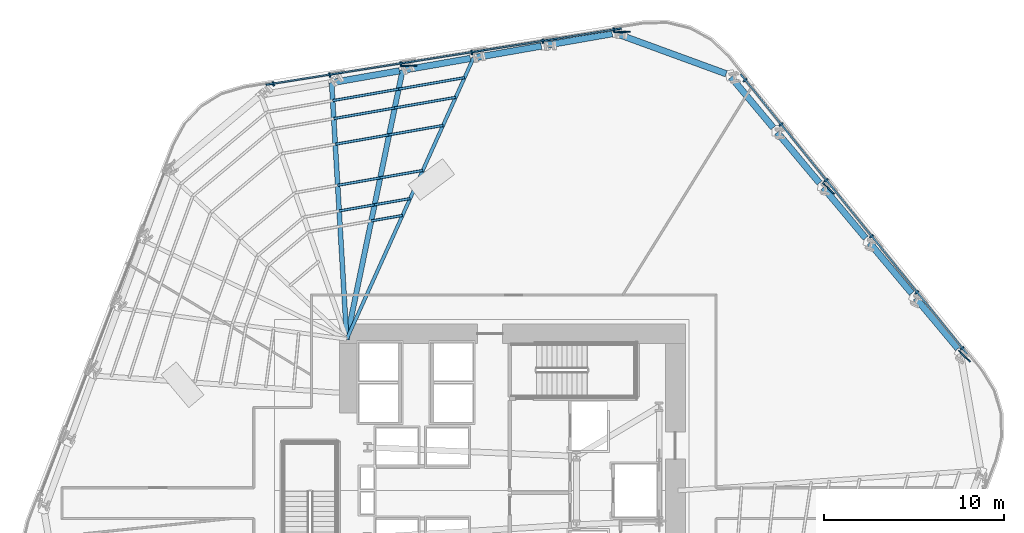
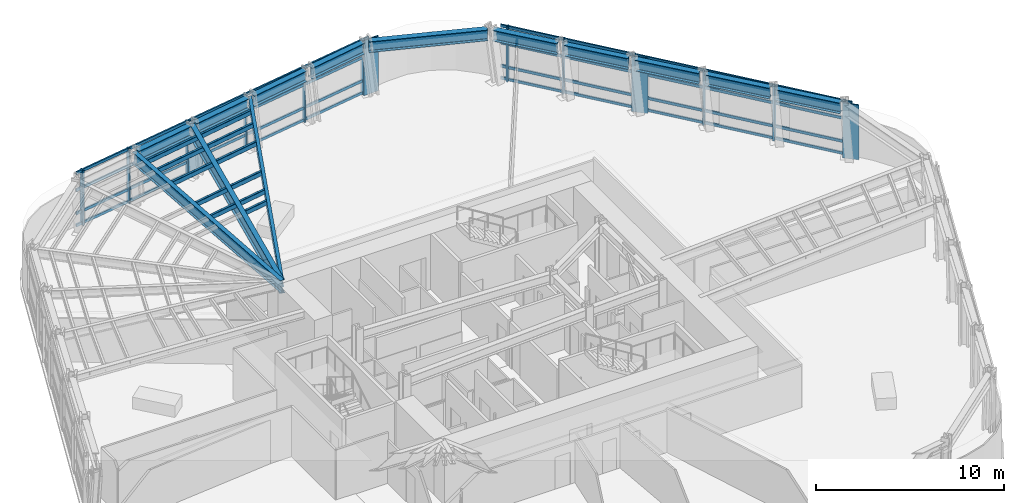
# One storey, part 6 of 16: 35 members, 13 beams, 2 elements without a shape of their own.
"""IFC4 building model written with IfcOpenShell, lengths in metres."""

from ifc_helpers import new_model, si_unit, direction, frame, origin, origin_2d, place, context, subcontext, project, spatial, rectangle, hollow_rectangle, i_section, extrude, material, layer, layer_set, material_profile, profile_set, type_object, element, aggregate, save


model = new_model("IFC4")

# Units and contexts
model_context = context("Model", 3, precision=1e-05, world=origin(), true_north=direction((0.0, 1.0)))
body_context = subcontext(model_context, "Body", "Model", "MODEL_VIEW")
ifc_project = project(units=[si_unit("LENGTHUNIT", "METRE"), si_unit("AREAUNIT", "SQUARE_METRE"), si_unit("VOLUMEUNIT", "CUBIC_METRE"), si_unit("PLANEANGLEUNIT", "RADIAN"), si_unit("MASSUNIT", "GRAM", prefix="KILO")], contexts=[model_context])

# Site, building, storey
site_placement = place(None, origin())
site = spatial("IfcSite", under=ifc_project, at=site_placement, CompositionType="ELEMENT")
building_placement = place(site_placement, origin())
building = spatial("IfcBuilding", under=site, at=building_placement, Name="Valkerne Bourse Tower", CompositionType="ELEMENT")
storey_placement = place(building_placement, frame((0.0, 0.0, 62.0)))
storey = spatial("IfcBuildingStorey", under=building, at=storey_placement, Name="L15", CompositionType="ELEMENT", Elevation=62.0)

# Beams
ifc_material_1 = material(Name="Steel ASTM A992", Category="steel")
ifc_material_profile_1 = material_profile(ifc_material_1, i_section(OverallWidth=0.1904296875, OverallDepth=0.457275390625, WebThickness=0.009033203125, FlangeThickness=0.014404296875, FilletRadius=0.01513671875, at=origin_2d()), Name="W18X50")
ifc_profile_set_1 = profile_set([ifc_material_profile_1], Name="Steel ASTM A992")
beam_type_1 = type_object("IfcBeamType", Name="BM-W18X50", PredefinedType="JOIST", material=ifc_profile_set_1)
beam_1_placement = place(storey_placement, frame((44.636474609375, 51.017822265625, 3.351318359375), z_axis=(-0.410768208012, -0.911739808984, 0.0), x_axis=(0.911739808984, -0.410768208012, 0.0)))
element("IfcBeam", 1, at=beam_1_placement, inside=storey, type_object=beam_type_1, Name="L15 Radial Composite Floor Beam 08", PredefinedType="JOIST", context=body_context, shape_type="SweptSolid", body=[
    extrude(i_section(OverallWidth=0.1904296875, OverallDepth=0.457275390625, WebThickness=0.009033203125, FlangeThickness=0.014404296875, FilletRadius=0.01513671875, at=origin_2d()), origin(), (0.0, 0.0, 1.0), 17.1298828125),
])
ifc_material_profile_2 = material_profile(ifc_material_1, i_section(OverallWidth=0.358154296875, OverallDepth=0.7060546875, WebThickness=0.018310546875, FlangeThickness=0.0302734375, FilletRadius=0.02294921875, at=origin_2d()), Name="W27X178")
ifc_profile_set_2 = profile_set([ifc_material_profile_2], Name="Steel ASTM A992")
beam_type_2 = type_object("IfcBeamType", Name="BM-W27X178", PredefinedType="SPANDREL", material=ifc_profile_set_2)
beam_2_placement = place(storey_placement, frame((71.535888671875, 34.8818359375, 3.22705078125), z_axis=(-0.641477333473, 0.767141988578, 0.0), x_axis=(-0.767141988578, -0.641477333473, 0.0)))
element("IfcBeam", 2, at=beam_2_placement, inside=storey, type_object=beam_type_2, Name="L15 Hexagonal Spandrel Ring Beam 00", PredefinedType="SPANDREL", context=body_context, shape_type="SweptSolid", body=[
    extrude(i_section(OverallWidth=0.358154296875, OverallDepth=0.7060546875, WebThickness=0.018310546875, FlangeThickness=0.0302734375, FilletRadius=0.02294921875, at=origin_2d()), origin(), (0.0, 0.0, 1.0), 3.65625),
])
beam_3_placement = place(storey_placement, frame((68.972412109375, 37.947509765625, 3.22705078125), z_axis=(-0.641470895861, 0.767147371607, 0.0), x_axis=(-0.767147371607, -0.641470895861, 0.0)))
element("IfcBeam", 3, at=beam_3_placement, inside=storey, type_object=beam_type_2, Name="L15 Hexagonal Spandrel Ring Beam 01", PredefinedType="SPANDREL", context=body_context, shape_type="SweptSolid", body=[
    extrude(i_section(OverallWidth=0.358154296875, OverallDepth=0.7060546875, WebThickness=0.018310546875, FlangeThickness=0.0302734375, FilletRadius=0.02294921875, at=origin_2d()), origin(), (0.0, 0.0, 1.0), 3.656005859375),
])
beam_4_placement = place(storey_placement, frame((66.4091796875, 41.01318359375, 3.22705078125), z_axis=(-0.641431593388, 0.767180233716, 0.0), x_axis=(-0.767180233716, -0.641431593388, 0.0)))
element("IfcBeam", 4, at=beam_4_placement, inside=storey, type_object=beam_type_2, Name="L15 Hexagonal Spandrel Ring Beam 02", PredefinedType="SPANDREL", context=body_context, shape_type="SweptSolid", body=[
    extrude(i_section(OverallWidth=0.358154296875, OverallDepth=0.7060546875, WebThickness=0.018310546875, FlangeThickness=0.0302734375, FilletRadius=0.02294921875, at=origin_2d()), origin(), (0.0, 0.0, 1.0), 3.65576171875),
])
beam_5_placement = place(storey_placement, frame((63.84619140625, 44.07861328125, 3.22705078125), z_axis=(-0.641510193284, 0.7671145103, 0.0), x_axis=(-0.7671145103, -0.641510193284, 0.0)))
element("IfcBeam", 5, at=beam_5_placement, inside=storey, type_object=beam_type_2, Name="L15 Hexagonal Spandrel Ring Beam 03", PredefinedType="SPANDREL", context=body_context, shape_type="SweptSolid", body=[
    extrude(i_section(OverallWidth=0.358154296875, OverallDepth=0.7060546875, WebThickness=0.018310546875, FlangeThickness=0.0302734375, FilletRadius=0.02294921875, at=origin_2d()), origin(), (0.0, 0.0, 1.0), 3.65625),
])
beam_6_placement = place(storey_placement, frame((61.28271484375, 47.144287109375, 3.22705078125), z_axis=(-0.641470895861, 0.767147371607, 0.0), x_axis=(-0.767147371607, -0.641470895861, 0.0)))
element("IfcBeam", 6, at=beam_6_placement, inside=storey, type_object=beam_type_2, Name="L15 Hexagonal Spandrel Ring Beam 04", PredefinedType="SPANDREL", context=body_context, shape_type="SweptSolid", body=[
    extrude(i_section(OverallWidth=0.358154296875, OverallDepth=0.7060546875, WebThickness=0.018310546875, FlangeThickness=0.0302734375, FilletRadius=0.02294921875, at=origin_2d()), origin(), (0.0, 0.0, 1.0), 3.656005859375),
])
beam_7_placement = place(storey_placement, frame((58.6689453125, 50.1376953125, 3.22705078125), z_axis=(-0.939088565255, 0.343675234208, 0.0), x_axis=(-0.343675234208, -0.939088565255, 0.0)))
element("IfcBeam", 7, at=beam_7_placement, inside=storey, type_object=beam_type_2, Name="L15 Hexagonal Spandrel Ring Beam 05", PredefinedType="SPANDREL", context=body_context, shape_type="SweptSolid", body=[
    extrude(i_section(OverallWidth=0.358154296875, OverallDepth=0.7060546875, WebThickness=0.018310546875, FlangeThickness=0.0302734375, FilletRadius=0.02294921875, at=origin_2d()), origin(), (0.0, 0.0, 1.0), 6.38916015625),
])
beam_8_placement = place(storey_placement, frame((52.341796875, 52.36279296875, 3.22705078125), z_axis=(-0.985103236092, -0.171963991115, 0.0), x_axis=(0.171963991115, -0.985103236092, 0.0)))
element("IfcBeam", 8, at=beam_8_placement, inside=storey, type_object=beam_type_2, Name="L15 Hexagonal Spandrel Ring Beam 06", PredefinedType="SPANDREL", context=body_context, shape_type="SweptSolid", body=[
    extrude(i_section(OverallWidth=0.358154296875, OverallDepth=0.7060546875, WebThickness=0.018310546875, FlangeThickness=0.0302734375, FilletRadius=0.02294921875, at=origin_2d()), origin(), (0.0, 0.0, 1.0), 3.65576171875),
])
for number, where, z_axis, x_axis, name in (
    (9, (48.405517578125, 51.67578125, 3.22705078125), (-0.985105210753, -0.171952678802, 0.0), (0.171952678802, -0.985105210753, 0.0), "L15 Hexagonal Spandrel Ring Beam 07"),
    (10, (44.468994140625, 50.98876953125, 3.22705078125), (-0.985105210753, -0.171952678802, 0.0), (0.171952678802, -0.985105210753, 0.0), "L15 Hexagonal Spandrel Ring Beam 08"),
    (11, (40.532470703125, 50.301513671875, 3.22705078125), (-0.985116520331, -0.171887874412, 0.0), (0.171887874412, -0.985116520331, 0.0), "L15 Hexagonal Spandrel Ring Beam 09"),
):
    element("IfcBeam", number, at=place(storey_placement, frame(where, z_axis=z_axis, x_axis=x_axis)), inside=storey, type_object=beam_type_2, Name=name, PredefinedType="SPANDREL", context=body_context, shape_type="SweptSolid", body=[
        extrude(i_section(OverallWidth=0.358154296875, OverallDepth=0.7060546875, WebThickness=0.018310546875, FlangeThickness=0.0302734375, FilletRadius=0.02294921875, at=origin_2d()), origin(), (0.0, 0.0, 1.0), 3.656005859375),
    ])
ifc_material_profile_3 = material_profile(ifc_material_1, i_section(OverallWidth=0.26806640625, OverallDepth=0.76953125, WebThickness=0.015625, FlangeThickness=0.025390625, FilletRadius=0.025390625, at=origin_2d()), Name="W30X132")
ifc_profile_set_3 = profile_set([ifc_material_profile_3], Name="Steel ASTM A992")
beam_type_3 = type_object("IfcBeamType", Name="BM-W30X132", PredefinedType="BEAM", material=ifc_profile_set_3)
beam_9_placement = place(storey_placement, frame((36.763427734375, 49.643798828125, 3.1953125), z_axis=(0.05863776716, -0.998279325771, 0.0), x_axis=(0.998279325771, 0.05863776716, 0.0)))
element("IfcBeam", 12, at=beam_9_placement, inside=storey, type_object=beam_type_3, Name="L15 Radial Composite Floor Beam 10", PredefinedType="BEAM", context=body_context, shape_type="SweptSolid", body=[
    extrude(i_section(OverallWidth=0.26806640625, OverallDepth=0.76953125, WebThickness=0.015625, FlangeThickness=0.025390625, FilletRadius=0.025390625, at=origin_2d()), origin(), (0.0, 0.0, 1.0), 14.2685546875),
])
ifc_material_profile_4 = material_profile(ifc_material_1, i_section(OverallWidth=0.2919921875, OverallDepth=0.8583984375, WebThickness=0.01708984375, FlangeThickness=0.031005859375, FilletRadius=0.025390625, at=origin_2d()), Name="W33X169")
ifc_profile_set_4 = profile_set([ifc_material_profile_4], Name="Steel ASTM A992")
beam_type_4 = type_object("IfcBeamType", Name="BM-W33X169", PredefinedType="BEAM", material=ifc_profile_set_4)
beam_10_placement = place(storey_placement, frame((40.699951171875, 50.330810546875, 3.15087890625), z_axis=(-0.203278430807, -0.979120972898, 0.0), x_axis=(0.979120972898, -0.203278430807, 0.0)))
element("IfcBeam", 13, at=beam_10_placement, inside=storey, type_object=beam_type_4, Name="L15 Radial Composite Floor Beam 09", PredefinedType="BEAM", context=body_context, shape_type="SweptSolid", body=[
    extrude(i_section(OverallWidth=0.2919921875, OverallDepth=0.8583984375, WebThickness=0.01708984375, FlangeThickness=0.031005859375, FilletRadius=0.025390625, at=origin_2d()), origin(), (0.0, 0.0, 1.0), 15.249267578125),
])

# Curtain wall, members
ifc_material_2 = material(Name="Aluminium AA 6063-T6", Category="aluminium")
ifc_layer = layer(ifc_material_2, 0.22509765625)
ifc_layer_set = layer_set([ifc_layer], Name="Aluminium AA 6063-T6")
curtain_wall_type = type_object("IfcCurtainWallType", Name="CW-01", PredefinedType="NOTDEFINED", material=ifc_layer_set)
curtain_wall_1_placement = place(storey_placement, origin())
curtain_wall_1 = element("IfcCurtainWall", 14, at=curtain_wall_1_placement, inside=storey, type_object=curtain_wall_type, Name="L15 Hexagonal Stick Curtain Wall Face 1", PredefinedType="NOTDEFINED")
ifc_material_profile_5 = material_profile(ifc_material_2, rectangle(XDim=0.090087890625, YDim=0.239990234375, at=origin_2d()), Name="CWM-90X240")
ifc_profile_set_5 = profile_set([ifc_material_profile_5], Name="Aluminium AA 6063-T6")
member_type_1 = type_object("IfcMemberType", Name="CW-MUL-240X90", PredefinedType="MULLION", material=ifc_profile_set_5)
member_1_placement = place(storey_placement, frame((71.76318359375, 34.900634765625, 0.0), z_axis=(0.0, 0.0, 1.0), x_axis=(-0.629319886736, 0.777146369842, 0.0)))
member_1 = element("IfcMember", 15, at=member_1_placement, type_object=member_type_1, Name="CW-L15-F1 Jamb Mullion 00A", PredefinedType="MULLION", context=body_context, shape_type="SweptSolid", body=[
    extrude(rectangle(XDim=0.090087890625, YDim=0.239990234375, at=origin_2d()), origin(), (0.0, 0.0, 1.0), 3.580078125),
])
member_2_placement = place(storey_placement, frame((69.24853515625, 38.006103515625, 0.0), z_axis=(0.0, 0.0, 1.0), x_axis=(-0.629322761639, 0.777144041786, 0.0)))
member_2 = element("IfcMember", 16, at=member_2_placement, type_object=member_type_1, Name="CW-L15-F1 Jamb Mullion 01A", PredefinedType="MULLION", context=body_context, shape_type="SweptSolid", body=[
    extrude(rectangle(XDim=0.090087890625, YDim=0.239990234375, at=origin_2d()), origin(), (0.0, 0.0, 1.0), 3.580078125),
])
member_3_placement = place(storey_placement, frame((66.73388671875, 41.111572265625, 0.0), z_axis=(0.0, 0.0, 1.0), x_axis=(-0.629322761639, 0.777144041786, 0.0)))
member_3 = element("IfcMember", 17, at=member_3_placement, type_object=member_type_1, Name="CW-L15-F1 Jamb Mullion 02A", PredefinedType="MULLION", context=body_context, shape_type="SweptSolid", body=[
    extrude(rectangle(XDim=0.090087890625, YDim=0.239990234375, at=origin_2d()), origin(), (0.0, 0.0, 1.0), 3.580078125),
])
member_4_placement = place(storey_placement, frame((64.218994140625, 44.217041015625, 0.0), z_axis=(0.0, 0.0, 1.0), x_axis=(-0.629307647505, 0.777156280803, 0.0)))
member_4 = element("IfcMember", 18, at=member_4_placement, type_object=member_type_1, Name="CW-L15-F1 Jamb Mullion 03A", PredefinedType="MULLION", context=body_context, shape_type="SweptSolid", body=[
    extrude(rectangle(XDim=0.090087890625, YDim=0.239990234375, at=origin_2d()), origin(), (0.0, 0.0, 1.0), 3.580078125),
])
member_5_placement = place(storey_placement, frame((61.704345703125, 47.322509765625, 0.0), z_axis=(0.0, 0.0, 1.0), x_axis=(-0.629335000772, 0.77713413051, 0.0)))
member_5 = element("IfcMember", 19, at=member_5_placement, type_object=member_type_1, Name="CW-L15-F1 Jamb Mullion 04A", PredefinedType="MULLION", context=body_context, shape_type="SweptSolid", body=[
    extrude(rectangle(XDim=0.090087890625, YDim=0.239990234375, at=origin_2d()), origin(), (0.0, 0.0, 1.0), 3.580078125),
])
member_6_placement = place(storey_placement, frame((59.718017578125, 49.775146484375, 0.0), z_axis=(0.0, 0.0, 1.0), x_axis=(-0.629335000772, 0.77713413051, 0.0)))
member_6 = element("IfcMember", 20, at=member_6_placement, type_object=member_type_1, Name="CW-L15-F1 Jamb Mullion 04B", PredefinedType="MULLION", context=body_context, shape_type="SweptSolid", body=[
    extrude(rectangle(XDim=0.090087890625, YDim=0.239990234375, at=origin_2d()), origin(), (0.0, 0.0, 1.0), 3.580078125),
])

curtain_wall_2_placement = place(storey_placement, origin())
curtain_wall_2 = element("IfcCurtainWall", 21, at=curtain_wall_2_placement, inside=storey, type_object=curtain_wall_type, Name="L15 Hexagonal Stick Curtain Wall Face 2", PredefinedType="NOTDEFINED")
member_7_placement = place(storey_placement, frame((52.439453125, 52.569091796875, 0.0), z_axis=(0.0, 0.0, 1.0), x_axis=(-0.987688793331, -0.156431606549, 0.0)))
member_7 = element("IfcMember", 22, at=member_7_placement, type_object=member_type_1, Name="CW-L15-F2 Jamb Mullion 00A", PredefinedType="MULLION", context=body_context, shape_type="SweptSolid", body=[
    extrude(rectangle(XDim=0.090087890625, YDim=0.239990234375, at=origin_2d()), origin(), (0.0, 0.0, 1.0), 3.580078125),
])
member_8_placement = place(storey_placement, frame((48.49267578125, 51.944091796875, 0.0), z_axis=(0.0, 0.0, 1.0), x_axis=(-0.987688793331, -0.156431606549, 0.0)))
member_8 = element("IfcMember", 23, at=member_8_placement, type_object=member_type_1, Name="CW-L15-F2 Jamb Mullion 01A", PredefinedType="MULLION", context=body_context, shape_type="SweptSolid", body=[
    extrude(rectangle(XDim=0.090087890625, YDim=0.239990234375, at=origin_2d()), origin(), (0.0, 0.0, 1.0), 3.580078125),
])
member_9_placement = place(storey_placement, frame((44.5458984375, 51.319091796875, 0.0), z_axis=(0.0, 0.0, 1.0), x_axis=(-0.987688793331, -0.156431606549, 0.0)))
member_9 = element("IfcMember", 24, at=member_9_placement, type_object=member_type_1, Name="CW-L15-F2 Jamb Mullion 02A", PredefinedType="MULLION", context=body_context, shape_type="SweptSolid", body=[
    extrude(rectangle(XDim=0.090087890625, YDim=0.239990234375, at=origin_2d()), origin(), (0.0, 0.0, 1.0), 3.580078125),
])
member_10_placement = place(storey_placement, frame((40.59912109375, 50.69384765625, 0.0), z_axis=(0.0, 0.0, 1.0), x_axis=(-0.987688793331, -0.156431606549, 0.0)))
member_10 = element("IfcMember", 25, at=member_10_placement, type_object=member_type_1, Name="CW-L15-F2 Jamb Mullion 03A", PredefinedType="MULLION", context=body_context, shape_type="SweptSolid", body=[
    extrude(rectangle(XDim=0.090087890625, YDim=0.239990234375, at=origin_2d()), origin(), (0.0, 0.0, 1.0), 3.580078125),
])
member_11_placement = place(storey_placement, frame((36.65234375, 50.06884765625, 0.0), z_axis=(0.0, 0.0, 1.0), x_axis=(-0.987684926531, -0.156456019071, 0.0)))
member_11 = element("IfcMember", 26, at=member_11_placement, type_object=member_type_1, Name="CW-L15-F2 Jamb Mullion 04A", PredefinedType="MULLION", context=body_context, shape_type="SweptSolid", body=[
    extrude(rectangle(XDim=0.090087890625, YDim=0.239990234375, at=origin_2d()), origin(), (0.0, 0.0, 1.0), 3.580078125),
])
member_12_placement = place(storey_placement, frame((33.53515625, 49.574951171875, 0.0), z_axis=(0.0, 0.0, 1.0), x_axis=(-0.987684926531, -0.156456019071, 0.0)))
member_12 = element("IfcMember", 27, at=member_12_placement, type_object=member_type_1, Name="CW-L15-F2 Jamb Mullion 04B", PredefinedType="MULLION", context=body_context, shape_type="SweptSolid", body=[
    extrude(rectangle(XDim=0.090087890625, YDim=0.239990234375, at=origin_2d()), origin(), (0.0, 0.0, 1.0), 3.580078125),
])

# Member
ifc_material_profile_6 = material_profile(ifc_material_2, rectangle(XDim=0.090087890625, YDim=0.179931640625, at=origin_2d()), Name="CWT-90X180")
ifc_profile_set_6 = profile_set([ifc_material_profile_6], Name="Aluminium AA 6063-T6")
member_type_2 = type_object("IfcMemberType", Name="CW-TRN-180X90", PredefinedType="USERDEFINED", material=ifc_profile_set_6)
member_13_placement = place(storey_placement, frame((72.043212890625, 34.5869140625, 0.1201171875), z_axis=(-0.629318438977, 0.77714754221, 0.0), x_axis=(-0.77714754221, -0.629318438977, 0.0)))
member_13 = element("IfcMember", 28, at=member_13_placement, type_object=member_type_2, Name="CW-L15-F1 Continuous Face Transom 1", ObjectType="TRANSOM", PredefinedType="USERDEFINED", context=body_context, shape_type="SweptSolid", body=[
    extrude(rectangle(XDim=0.090087890625, YDim=0.179931640625, at=origin_2d()), origin(), (0.0, 0.0, 1.0), 19.97998046875),
])

member_14_placement = place(storey_placement, frame((72.043212890625, 34.5869140625, 0.89990234375), z_axis=(-0.629318438977, 0.77714754221, 0.0), x_axis=(-0.77714754221, -0.629318438977, 0.0)))
member_14 = element("IfcMember", 29, at=member_14_placement, type_object=member_type_2, Name="CW-L15-F1 Continuous Face Transom 2", ObjectType="TRANSOM", PredefinedType="USERDEFINED", context=body_context, shape_type="SweptSolid", body=[
    extrude(rectangle(XDim=0.090087890625, YDim=0.179931640625, at=origin_2d()), origin(), (0.0, 0.0, 1.0), 19.97998046875),
])

member_15_placement = place(storey_placement, frame((72.043212890625, 34.5869140625, 2.39990234375), z_axis=(-0.629318438977, 0.77714754221, 0.0), x_axis=(-0.77714754221, -0.629318438977, 0.0)))
member_15 = element("IfcMember", 30, at=member_15_placement, type_object=member_type_2, Name="CW-L15-F1 Continuous Face Transom 3", ObjectType="TRANSOM", PredefinedType="USERDEFINED", context=body_context, shape_type="SweptSolid", body=[
    extrude(rectangle(XDim=0.090087890625, YDim=0.179931640625, at=origin_2d()), origin(), (0.0, 0.0, 1.0), 19.97998046875),
])

member_16_placement = place(storey_placement, frame((72.043212890625, 34.5869140625, 3.5), z_axis=(-0.629318438977, 0.77714754221, 0.0), x_axis=(-0.77714754221, -0.629318438977, 0.0)))
member_16 = element("IfcMember", 31, at=member_16_placement, type_object=member_type_2, Name="CW-L15-F1 Continuous Face Transom 4", ObjectType="TRANSOM", PredefinedType="USERDEFINED", context=body_context, shape_type="SweptSolid", body=[
    extrude(rectangle(XDim=0.090087890625, YDim=0.179931640625, at=origin_2d()), origin(), (0.0, 0.0, 1.0), 19.97998046875),
])

aggregate(curtain_wall_1, [member_13, member_14, member_15, member_16, member_1, member_2, member_3, member_4, member_5, member_6])

member_17_placement = place(storey_placement, frame((52.851318359375, 52.65478515625, 0.1201171875), z_axis=(-0.987687156239, -0.156441942588, 0.0), x_axis=(0.156441942588, -0.987687156239, 0.0)))
member_17 = element("IfcMember", 32, at=member_17_placement, type_object=member_type_2, Name="CW-L15-F2 Continuous Face Transom 1", ObjectType="TRANSOM", PredefinedType="USERDEFINED", context=body_context, shape_type="SweptSolid", body=[
    extrude(rectangle(XDim=0.090087890625, YDim=0.179931640625, at=origin_2d()), origin(), (0.0, 0.0, 1.0), 19.980224609375),
])

member_18_placement = place(storey_placement, frame((52.851318359375, 52.65478515625, 0.89990234375), z_axis=(-0.987687156239, -0.156441942588, 0.0), x_axis=(0.156441942588, -0.987687156239, 0.0)))
member_18 = element("IfcMember", 33, at=member_18_placement, type_object=member_type_2, Name="CW-L15-F2 Continuous Face Transom 2", ObjectType="TRANSOM", PredefinedType="USERDEFINED", context=body_context, shape_type="SweptSolid", body=[
    extrude(rectangle(XDim=0.090087890625, YDim=0.179931640625, at=origin_2d()), origin(), (0.0, 0.0, 1.0), 19.980224609375),
])

member_19_placement = place(storey_placement, frame((52.851318359375, 52.65478515625, 2.39990234375), z_axis=(-0.987687156239, -0.156441942588, 0.0), x_axis=(0.156441942588, -0.987687156239, 0.0)))
member_19 = element("IfcMember", 34, at=member_19_placement, type_object=member_type_2, Name="CW-L15-F2 Continuous Face Transom 3", ObjectType="TRANSOM", PredefinedType="USERDEFINED", context=body_context, shape_type="SweptSolid", body=[
    extrude(rectangle(XDim=0.090087890625, YDim=0.179931640625, at=origin_2d()), origin(), (0.0, 0.0, 1.0), 19.980224609375),
])

member_20_placement = place(storey_placement, frame((52.851318359375, 52.65478515625, 3.5), z_axis=(-0.987687156239, -0.156441942588, 0.0), x_axis=(0.156441942588, -0.987687156239, 0.0)))
member_20 = element("IfcMember", 35, at=member_20_placement, type_object=member_type_2, Name="CW-L15-F2 Continuous Face Transom 4", ObjectType="TRANSOM", PredefinedType="USERDEFINED", context=body_context, shape_type="SweptSolid", body=[
    extrude(rectangle(XDim=0.090087890625, YDim=0.179931640625, at=origin_2d()), origin(), (0.0, 0.0, 1.0), 19.980224609375),
])

aggregate(curtain_wall_2, [member_17, member_18, member_19, member_20, member_7, member_8, member_9, member_10, member_11, member_12])

# Members
ifc_material_3 = material(Name="Bronze Anodised Aluminium AA 6063-T6", Category="aluminium")
ifc_material_profile_7 = material_profile(ifc_material_3, rectangle(XDim=0.070068359375, YDim=0.89990234375, at=origin_2d()), Name="FIN-70X900")
ifc_profile_set_7 = profile_set([ifc_material_profile_7], Name="Bronze Anodised Aluminium AA 6063-T6")
member_type_3 = type_object("IfcMemberType", Name="FIN-SOLAR-900", PredefinedType="USERDEFINED", material=ifc_profile_set_7)
for number, where, z_axis, x_axis, name in (
    (36, (71.8876953125, 34.4609375, 0.00390625), (0.0, 0.0, 1.0), (0.698662651216, 0.715451256058, 0.0), "L15 Bronze Anodised Solar Fin F1-00"),
    (37, (64.343505859375, 43.77734375, 0.00390625), (0.0, 0.0, 1.0), (0.69867149915, 0.715442615641, 0.0), "L15 Bronze Anodised Solar Fin F1-03"),
    (38, (52.882568359375, 52.45703125, 0.00390625), (0.0, 0.0, 1.0), (-0.029402619294, 0.999567649526, 0.0), "L15 Bronze Anodised Solar Fin F2-00"),
    (39, (41.0419921875, 50.581787109375, 0.00390625), (0.0, 0.0, 1.0), (-0.029402619294, 0.999567649526, 0.0), "L15 Bronze Anodised Solar Fin F2-03"),
):
    element("IfcMember", number, at=place(storey_placement, frame(where, z_axis=z_axis, x_axis=x_axis)), inside=storey, type_object=member_type_3, Name=name, ObjectType="SOLAR_FIN", PredefinedType="USERDEFINED", context=body_context, shape_type="SweptSolid", body=[
        extrude(rectangle(XDim=0.070068359375, YDim=0.89990234375, at=origin_2d()), origin(), (0.0, 0.0, 1.0), 3.572021484375),
    ])
ifc_material_4 = material(Name="Steel ASTM A500 Grade C", Category="steel")
ifc_material_profile_8 = material_profile(ifc_material_4, hollow_rectangle(XDim=0.14990234375, YDim=0.300048828125, WallThickness=0.012451171875, OuterFilletRadius=0.02490234375, at=origin_2d()), Name="HSS300X150X12.5")
ifc_profile_set_8 = profile_set([ifc_material_profile_8], Name="Steel ASTM A500 Grade C")
member_type_4 = type_object("IfcMemberType", Name="MBR-HSS300X150X12.5", PredefinedType="PURLIN", material=ifc_profile_set_8)
member_21_placement = place(storey_placement, frame((40.696044921875, 42.27197265625, 3.419921875), z_axis=(-0.985088179851, -0.172050219176, 0.0), x_axis=(0.172050219176, -0.985088179851, 0.0)))
element("IfcMember", 40, at=member_21_placement, inside=storey, type_object=member_type_4, Name="L15 Secondary Composite Floor Purlin K-08", PredefinedType="PURLIN", context=body_context, shape_type="SweptSolid", body=[
    extrude(hollow_rectangle(XDim=0.14990234375, YDim=0.300048828125, WallThickness=0.012451171875, OuterFilletRadius=0.02490234375, at=origin_2d()), origin(), (0.0, 0.0, 1.0), 1.758056640625),
])
for number, where, z_axis, x_axis, name in (
    (41, (41.1181640625, 43.208984375, 3.419921875), (-0.985110241779, -0.171923853905, 0.0), (0.171923853905, -0.985110241779, 0.0), "L15 Secondary Composite Floor Purlin M-08"),
    (42, (39.14990234375, 42.865478515625, 3.419921875), (-0.985110241779, -0.171923853905, 0.0), (0.171923853905, -0.985110241779, 0.0), "L15 Secondary Composite Floor Purlin M-09"),
):
    element("IfcMember", number, at=place(storey_placement, frame(where, z_axis=z_axis, x_axis=x_axis)), inside=storey, type_object=member_type_4, Name=name, PredefinedType="PURLIN", context=body_context, shape_type="SweptSolid", body=[
        extrude(hollow_rectangle(XDim=0.14990234375, YDim=0.300048828125, WallThickness=0.012451171875, OuterFilletRadius=0.02490234375, at=origin_2d()), origin(), (0.0, 0.0, 1.0), 1.998046875),
    ])
member_22_placement = place(storey_placement, frame((42.94775390625, 47.26953125, 3.419921875), z_axis=(-0.985107146262, -0.171941590033, 0.0), x_axis=(0.171941590033, -0.985107146262, 0.0)))
element("IfcMember", 43, at=member_22_placement, inside=storey, type_object=member_type_4, Name="L15 Secondary Composite Floor Purlin O-08", PredefinedType="PURLIN", context=body_context, shape_type="SweptSolid", body=[
    extrude(hollow_rectangle(XDim=0.14990234375, YDim=0.300048828125, WallThickness=0.012451171875, OuterFilletRadius=0.02490234375, at=origin_2d()), origin(), (0.0, 0.0, 1.0), 3.037109375),
])
member_23_placement = place(storey_placement, frame((39.955810546875, 46.747314453125, 3.419921875), z_axis=(-0.985118384265, -0.171877191575, 0.0), x_axis=(0.171877191575, -0.985118384265, 0.0)))
element("IfcMember", 44, at=member_23_placement, inside=storey, type_object=member_type_4, Name="L15 Secondary Composite Floor Purlin O-09", PredefinedType="PURLIN", context=body_context, shape_type="SweptSolid", body=[
    extrude(hollow_rectangle(XDim=0.14990234375, YDim=0.300048828125, WallThickness=0.012451171875, OuterFilletRadius=0.02490234375, at=origin_2d()), origin(), (0.0, 0.0, 1.0), 3.036865234375),
])
member_24_placement = place(storey_placement, frame((41.82177734375, 44.770751953125, 3.419921875), z_axis=(-0.985098687864, -0.171990043808, 0.0), x_axis=(0.171990043808, -0.985098687864, 0.0)))
element("IfcMember", 45, at=member_24_placement, inside=storey, type_object=member_type_4, Name="L15 Secondary Composite Floor Purlin Z-08", PredefinedType="PURLIN", context=body_context, shape_type="SweptSolid", body=[
    extrude(hollow_rectangle(XDim=0.14990234375, YDim=0.300048828125, WallThickness=0.012451171875, OuterFilletRadius=0.02490234375, at=origin_2d()), origin(), (0.0, 0.0, 1.0), 2.3974609375),
])
member_25_placement = place(storey_placement, frame((39.4599609375, 44.3583984375, 3.419921875), z_axis=(-0.98511894421, -0.171873982204, 0.0), x_axis=(0.171873982204, -0.98511894421, 0.0)))
element("IfcMember", 46, at=member_25_placement, inside=storey, type_object=member_type_4, Name="L15 Secondary Composite Floor Purlin Z-09", PredefinedType="PURLIN", context=body_context, shape_type="SweptSolid", body=[
    extrude(hollow_rectangle(XDim=0.14990234375, YDim=0.300048828125, WallThickness=0.012451171875, OuterFilletRadius=0.02490234375, at=origin_2d()), origin(), (0.0, 0.0, 1.0), 2.397705078125),
])
member_26_placement = place(storey_placement, frame((43.6513671875, 48.831298828125, 3.419921875), z_axis=(-0.985111478941, -0.171916764912, 0.0), x_axis=(0.171916764912, -0.985111478941, 0.0)))
element("IfcMember", 47, at=member_26_placement, inside=storey, type_object=member_type_4, Name="L15 Secondary Composite Floor Purlin T-08", PredefinedType="PURLIN", context=body_context, shape_type="SweptSolid", body=[
    extrude(hollow_rectangle(XDim=0.14990234375, YDim=0.300048828125, WallThickness=0.012451171875, OuterFilletRadius=0.02490234375, at=origin_2d()), origin(), (0.0, 0.0, 1.0), 3.436767578125),
])
member_27_placement = place(storey_placement, frame((40.265869140625, 48.240478515625, 3.419921875), z_axis=(-0.985109379108, -0.171928796873, 0.0), x_axis=(0.171928796873, -0.985109379108, 0.0)))
element("IfcMember", 48, at=member_27_placement, inside=storey, type_object=member_type_4, Name="L15 Secondary Composite Floor Purlin T-09", PredefinedType="PURLIN", context=body_context, shape_type="SweptSolid", body=[
    extrude(hollow_rectangle(XDim=0.14990234375, YDim=0.300048828125, WallThickness=0.012451171875, OuterFilletRadius=0.02490234375, at=origin_2d()), origin(), (0.0, 0.0, 1.0), 3.4365234375),
])
for number, where, z_axis, x_axis, name in (
    (49, (44.143798828125, 49.924560546875, 3.419921875), (-0.985109842922, -0.171926139308, 0.0), (0.171926139308, -0.985109842922, 0.0), "L15 Secondary Composite Floor Purlin U-08"),
    (50, (40.48291015625, 49.28564453125, 3.419921875), (-0.985109842922, -0.171926139308, 0.0), (0.171926139308, -0.985109842922, 0.0), "L15 Secondary Composite Floor Purlin U-09"),
):
    element("IfcMember", number, at=place(storey_placement, frame(where, z_axis=z_axis, x_axis=x_axis)), inside=storey, type_object=member_type_4, Name=name, PredefinedType="PURLIN", context=body_context, shape_type="SweptSolid", body=[
        extrude(hollow_rectangle(XDim=0.14990234375, YDim=0.300048828125, WallThickness=0.012451171875, OuterFilletRadius=0.02490234375, at=origin_2d()), origin(), (0.0, 0.0, 1.0), 3.71630859375),
    ])

save(model, "model.ifc")
